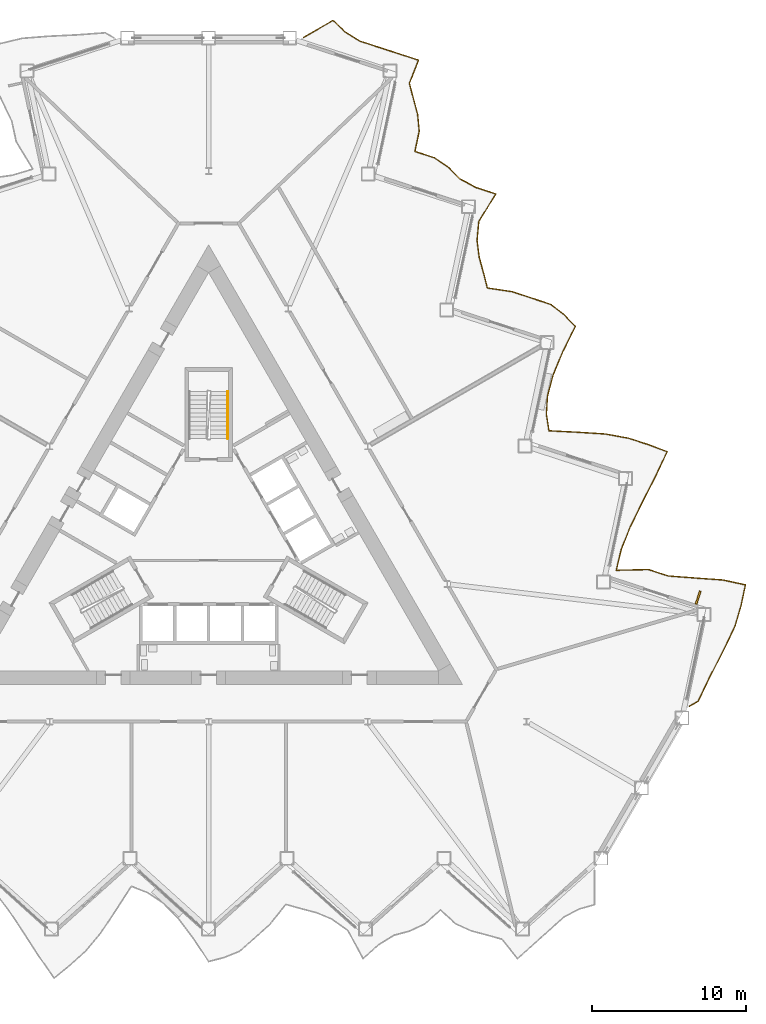
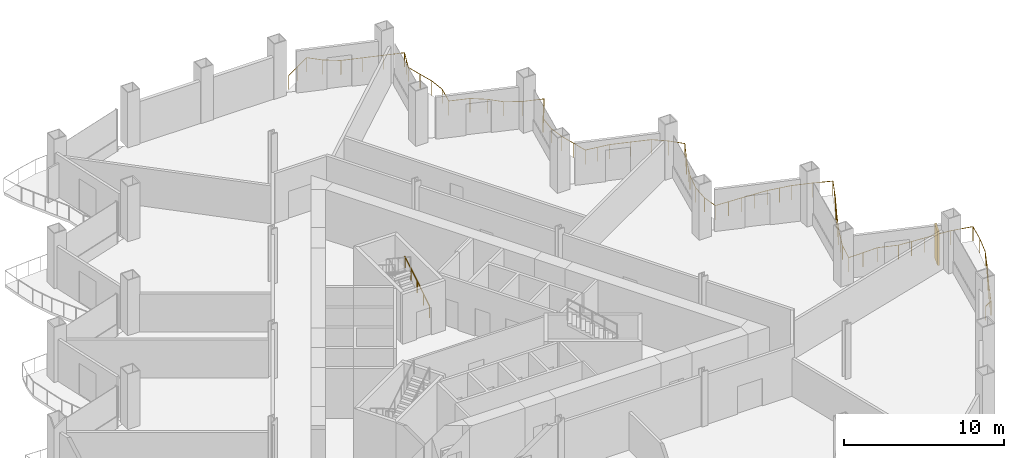
# One storey, part 19 of 21: 2 railings, 1 shading device.
"""IFC4 building model written with IfcOpenShell, lengths in metres."""

from ifc_helpers import new_model, si_unit, direction, frame, origin, origin_2d, place, context, subcontext, project, spatial, rectangle, circle, extrude, material, layer, layer_set, type_object, element, save


model = new_model("IFC4")

# Units and contexts
model_context = context("Model", 3, precision=1e-05, world=origin(), true_north=direction((0.0, 1.0)))
body_context = subcontext(model_context, "Body", "Model", "MODEL_VIEW")
ifc_project = project(units=[si_unit("LENGTHUNIT", "METRE"), si_unit("AREAUNIT", "SQUARE_METRE"), si_unit("VOLUMEUNIT", "CUBIC_METRE"), si_unit("PLANEANGLEUNIT", "RADIAN"), si_unit("MASSUNIT", "GRAM", prefix="KILO")], contexts=[model_context])

# Site, building, storey
site_placement = place(None, origin())
site = spatial("IfcSite", under=ifc_project, at=site_placement, CompositionType="ELEMENT")
building_placement = place(site_placement, origin())
building = spatial("IfcBuilding", under=site, at=building_placement, Name="Cormorant Prow Tower", CompositionType="ELEMENT")
storey_placement = place(building_placement, frame((0.0, 0.0, 112.199951171875)))
storey = spatial("IfcBuildingStorey", under=building, at=storey_placement, Name="L23", CompositionType="ELEMENT", Elevation=112.199951171875)

# Railings
ifc_material_1 = material(Name="Aluminium 6063-T6", Category="aluminium")
railing_type_1 = type_object("IfcRailingType", Name="Balcony guard 1100", PredefinedType="GUARDRAIL", material=ifc_material_1)
railing_1_placement = place(storey_placement, frame((31.255859375, -10.926025390625, 0.0)))
element("IfcRailing", 1, at=railing_1_placement, inside=storey, type_object=railing_type_1, Name="Balcony guard ENE", PredefinedType="GUARDRAIL", context=body_context, shape_type="SweptSolid", body=[
    extrude(circle(Radius=0.02392578125, at=origin_2d()), frame((0.0, 0.0, 1.076171875), z_axis=(0.866038622153, 0.499977104415, 0.0), x_axis=(-0.499977104415, 0.866038622153, 0.0)), (0.0, 0.0, 1.0), 0.63623046875),
    extrude(circle(Radius=0.02392578125, at=origin_2d()), frame((0.551025390625, 0.318115234375, 1.076171875), z_axis=(0.43395568951, 0.90093421488, 0.0), x_axis=(-0.90093421488, 0.43395568951, 0.0)), (0.0, 0.0, 1.0), 1.78173828125),
    extrude(circle(Radius=0.02392578125, at=origin_2d()), frame((1.32421875, 1.92333984375, 1.076171875), z_axis=(0.457404553014, 0.889258722129, 0.0), x_axis=(-0.889258722129, 0.457404553014, 0.0)), (0.0, 0.0, 1.0), 1.853759765625),
    extrude(circle(Radius=0.02392578125, at=origin_2d()), frame((2.172119140625, 3.57177734375, 1.076171875), z_axis=(0.431975796772, 0.90188519835, 0.0), x_axis=(-0.90188519835, 0.431975796772, 0.0)), (0.0, 0.0, 1.0), 1.7763671875),
    extrude(circle(Radius=0.02392578125, at=origin_2d()), frame((2.939453125, 5.173828125, 1.076171875), z_axis=(0.281611693619, 0.95952845399, 0.0), x_axis=(-0.95952845399, 0.281611693619, 0.0)), (0.0, 0.0, 1.0), 1.453857421875),
    extrude(circle(Radius=0.02392578125, at=origin_2d()), frame((3.348876953125, 6.56884765625, 1.076171875), z_axis=(0.207886861883, 0.978152877957, 0.0), x_axis=(-0.978152877957, 0.207886861883, 0.0)), (0.0, 0.0, 1.0), 1.3505859375),
    extrude(circle(Radius=0.02392578125, at=origin_2d()), frame((3.629638671875, 7.889892578125, 1.076171875), z_axis=(-0.977372167064, 0.211526941659, 0.0), x_axis=(-0.211526941659, -0.977372167064, 0.0)), (0.0, 0.0, 1.0), 1.493408203125),
    extrude(circle(Radius=0.02392578125, at=origin_2d()), frame((2.169921875, 8.205810546875, 1.076171875), z_axis=(-0.997497959501, 0.070695267101, 0.0), x_axis=(-0.070695267101, -0.997497959501, 0.0)), (0.0, 0.0, 1.0), 1.792236328125),
    extrude(circle(Radius=0.02392578125, at=origin_2d()), frame((0.382080078125, 8.33251953125, 1.076171875), z_axis=(-0.997149728918, 0.075448115409, 0.0), x_axis=(-0.075448115409, -0.997149728918, 0.0)), (0.0, 0.0, 1.0), 1.77978515625),
    extrude(circle(Radius=0.02392578125, at=origin_2d()), frame((-1.392578125, 8.466796875, 1.076171875), z_axis=(-0.951024769283, 0.309114684561, 0.0), x_axis=(-0.309114684561, -0.951024769283, 0.0)), (0.0, 0.0, 1.0), 1.3505859375),
    extrude(circle(Radius=0.02392578125, at=origin_2d()), frame((-2.677001953125, 8.88427734375, 1.076171875), z_axis=(-0.999758175255, -0.021990702814, 0.0), x_axis=(0.021990702814, -0.999758175255, 0.0)), (0.0, 0.0, 1.0), 2.087158203125),
    extrude(circle(Radius=0.02392578125, at=origin_2d()), frame((-4.763671875, 8.83837890625, 1.076171875), z_axis=(0.232169895877, 0.972675248708, 0.0), x_axis=(-0.972675248708, 0.232169895877, 0.0)), (0.0, 0.0, 1.0), 1.3818359375),
    extrude(circle(Radius=0.02392578125, at=origin_2d()), frame((-4.44287109375, 10.182373046875, 1.076171875), z_axis=(0.371001399751, 0.928632306881, 0.0), x_axis=(-0.928632306881, 0.371001399751, 0.0)), (0.0, 0.0, 1.0), 1.6220703125),
    extrude(circle(Radius=0.02392578125, at=origin_2d()), frame((-3.841064453125, 11.688720703125, 1.076171875), z_axis=(0.440752592338, 0.897628627188, 0.0), x_axis=(-0.897628627188, 0.440752592338, 0.0)), (0.0, 0.0, 1.0), 1.802001953125),
    extrude(circle(Radius=0.02392578125, at=origin_2d()), frame((-3.046875, 13.30615234375, 1.076171875), z_axis=(0.456734184833, 0.889603217398, 0.0), x_axis=(-0.889603217398, 0.456734184833, 0.0)), (0.0, 0.0, 1.0), 1.8515625),
    extrude(circle(Radius=0.02392578125, at=origin_2d()), frame((-2.201171875, 14.953369140625, 1.076171875), z_axis=(0.423709079237, 0.905798330851, 0.0), x_axis=(-0.905798330851, 0.423709079237, 0.0)), (0.0, 0.0, 1.0), 1.752197265625),
    extrude(circle(Radius=0.02392578125, at=origin_2d()), frame((-1.458740234375, 16.54052734375, 1.076171875), z_axis=(-0.935577093691, 0.353122502485, 0.0), x_axis=(-0.353122502485, -0.935577093691, 0.0)), (0.0, 0.0, 1.0), 1.297607421875),
    extrude(circle(Radius=0.02392578125, at=origin_2d()), frame((-2.6728515625, 16.998779296875, 1.076171875), z_axis=(-0.951077899841, 0.308951174839, 0.0), x_axis=(-0.308951174839, -0.951077899841, 0.0)), (0.0, 0.0, 1.0), 1.3505859375),
    extrude(circle(Radius=0.02392578125, at=origin_2d()), frame((-3.957275390625, 17.416015625, 1.076171875), z_axis=(-0.983862355577, 0.178926983092, 0.0), x_axis=(-0.178926983092, -0.983862355577, 0.0)), (0.0, 0.0, 1.0), 1.551513671875),
    extrude(circle(Radius=0.02392578125, at=origin_2d()), frame((-5.483642578125, 17.693603515625, 1.076171875), z_axis=(-0.997964521348, 0.063771577762, 0.0), x_axis=(-0.063771577762, -0.997964521348, 0.0)), (0.0, 0.0, 1.0), 1.810791015625),
    extrude(circle(Radius=0.02392578125, at=origin_2d()), frame((-7.290771484375, 17.80908203125, 1.076171875), z_axis=(-0.99874739551, 0.050036386371, 0.0), x_axis=(-0.050036386371, -0.99874739551, 0.0)), (0.0, 0.0, 1.0), 1.84912109375),
    extrude(circle(Radius=0.02392578125, at=origin_2d()), frame((-9.1376953125, 17.901611328125, 1.076171875), z_axis=(-0.155041618238, 0.987907939342, 0.0), x_axis=(-0.987907939342, -0.155041618238, 0.0)), (0.0, 0.0, 1.0), 1.075439453125),
    extrude(circle(Radius=0.02392578125, at=origin_2d()), frame((-9.304443359375, 18.964111328125, 1.076171875), z_axis=(0.058900613836, 0.998263851739, 0.0), x_axis=(-0.998263851739, 0.058900613836, 0.0)), (0.0, 0.0, 1.0), 1.2021484375),
    extrude(circle(Radius=0.02392578125, at=origin_2d()), frame((-9.233642578125, 20.1640625, 1.076171875), z_axis=(0.258337459787, 0.96605473803, 0.0), x_axis=(-0.96605473803, 0.258337459787, 0.0)), (0.0, 0.0, 1.0), 1.41845703125),
    extrude(circle(Radius=0.02392578125, at=origin_2d()), frame((-8.8671875, 21.534423828125, 1.076171875), z_axis=(0.385662338184, 0.922639995289, 0.0), x_axis=(-0.922639995289, 0.385662338184, 0.0)), (0.0, 0.0, 1.0), 1.655517578125),
    extrude(circle(Radius=0.02392578125, at=origin_2d()), frame((-8.228759765625, 23.061767578125, 1.076171875), z_axis=(0.446354499112, 0.894856223716, 0.0), x_axis=(-0.894856223716, 0.446354499112, 0.0)), (0.0, 0.0, 1.0), 1.819091796875),
    extrude(circle(Radius=0.02392578125, at=origin_2d()), frame((-7.416748046875, 24.689697265625, 1.076171875), z_axis=(-0.700003093653, 0.714139810455, 0.0), x_axis=(-0.714139810455, -0.700003093653, 0.0)), (0.0, 0.0, 1.0), 1.0361328125),
    extrude(circle(Radius=0.02392578125, at=origin_2d()), frame((-8.14208984375, 25.4296875, 1.076171875), z_axis=(-0.786866312504, 0.617123493513, 0.0), x_axis=(-0.617123493513, -0.786866312504, 0.0)), (0.0, 0.0, 1.0), 1.08154296875),
    extrude(circle(Radius=0.02392578125, at=origin_2d()), frame((-8.9931640625, 26.09716796875, 1.076171875), z_axis=(-0.947415465618, 0.320006149173, 0.0), x_axis=(-0.320006149173, -0.947415465618, 0.0)), (0.0, 0.0, 1.0), 1.336669921875),
    extrude(circle(Radius=0.02392578125, at=origin_2d()), frame((-10.259521484375, 26.52490234375, 1.076171875), z_axis=(-0.951077899841, 0.308951174839, 0.0), x_axis=(-0.308951174839, -0.951077899841, 0.0)), (0.0, 0.0, 1.0), 1.3505859375),
    extrude(circle(Radius=0.02392578125, at=origin_2d()), frame((-11.5439453125, 26.942138671875, 1.076171875), z_axis=(-0.989210766763, 0.146499347852, 0.0), x_axis=(-0.146499347852, -0.989210766763, 0.0)), (0.0, 0.0, 1.0), 1.61474609375),
    extrude(circle(Radius=0.02392578125, at=origin_2d()), frame((-13.141357421875, 27.1787109375, 1.076171875), z_axis=(-0.247823024383, 0.968805320271, 0.0), x_axis=(-0.968805320271, -0.247823024383, 0.0)), (0.0, 0.0, 1.0), 1.042236328125),
    extrude(circle(Radius=0.02392578125, at=origin_2d()), frame((-13.399658203125, 28.1884765625, 1.076171875), z_axis=(-0.26379434014, 0.964578947578, 0.0), x_axis=(-0.964578947578, -0.26379434014, 0.0)), (0.0, 0.0, 1.0), 1.03759765625),
    extrude(circle(Radius=0.02392578125, at=origin_2d()), frame((-13.67333984375, 29.189208984375, 1.076171875), z_axis=(-0.1260496164, 0.992023938323, 0.0), x_axis=(-0.992023938323, -0.1260496164, 0.0)), (0.0, 0.0, 1.0), 1.088623046875),
    extrude(circle(Radius=0.02392578125, at=origin_2d()), frame((-13.810546875, 30.26904296875, 1.076171875), z_axis=(0.092701173537, 0.995693975288, 0.0), x_axis=(-0.995693975288, 0.092701173537, 0.0)), (0.0, 0.0, 1.0), 1.22998046875),
    extrude(circle(Radius=0.02392578125, at=origin_2d()), frame((-13.696533203125, 31.49365234375, 1.076171875), z_axis=(0.523412097914, 0.852079676883, 0.0), x_axis=(-0.852079676883, 0.523412097914, 0.0)), (0.0, 0.0, 1.0), 2.107421875),
    extrude(circle(Radius=0.02392578125, at=origin_2d()), frame((-12.593505859375, 33.289306640625, 1.076171875), z_axis=(-0.951024769283, 0.309114684561, 0.0), x_axis=(-0.309114684561, -0.951024769283, 0.0)), (0.0, 0.0, 1.0), 1.3505859375),
    extrude(circle(Radius=0.02392578125, at=origin_2d()), frame((-13.8779296875, 33.706787109375, 1.076171875), z_axis=(-0.880391324152, 0.474247948185, 0.0), x_axis=(-0.474247948185, -0.880391324152, 0.0)), (0.0, 0.0, 1.0), 1.179443359375),
    extrude(circle(Radius=0.02392578125, at=origin_2d()), frame((-14.916259765625, 34.26611328125, 1.076171875), z_axis=(-0.707224250539, 0.706989292316, 0.0), x_axis=(-0.706989292316, -0.707224250539, 0.0)), (0.0, 0.0, 1.0), 1.0390625),
    extrude(circle(Radius=0.02392578125, at=origin_2d()), frame((-15.651123046875, 35.000732421875, 1.076171875), z_axis=(-0.821263959786, 0.570548427705, 0.0), x_axis=(-0.570548427705, -0.821263959786, 0.0)), (0.0, 0.0, 1.0), 1.109130859375),
    extrude(circle(Radius=0.02392578125, at=origin_2d()), frame((-16.56201171875, 35.633544921875, 1.076171875), z_axis=(-0.951024769283, 0.309114684561, 0.0), x_axis=(-0.309114684561, -0.951024769283, 0.0)), (0.0, 0.0, 1.0), 1.3505859375),
    extrude(circle(Radius=0.02392578125, at=origin_2d()), frame((-17.846435546875, 36.051025390625, 1.076171875), z_axis=(0.207923627178, 0.978145063506, 0.0), x_axis=(-0.978145063506, 0.207923627178, 0.0)), (0.0, 0.0, 1.0), 1.350341796875),
    extrude(circle(Radius=0.02392578125, at=origin_2d()), frame((-17.565673828125, 37.371826171875, 1.076171875), z_axis=(-0.09722302852, 0.995262619978, 0.0), x_axis=(-0.995262619978, -0.09722302852, 0.0)), (0.0, 0.0, 1.0), 1.102294921875),
    extrude(circle(Radius=0.02392578125, at=origin_2d()), frame((-17.6728515625, 38.468994140625, 1.076171875), z_axis=(-0.260529971324, 0.96546576016, 0.0), x_axis=(-0.96546576016, -0.260529971324, 0.0)), (0.0, 0.0, 1.0), 1.038330078125),
    extrude(circle(Radius=0.02392578125, at=origin_2d()), frame((-17.943359375, 39.471435546875, 1.076171875), z_axis=(-0.2523455211, 0.967637193364, 0.0), x_axis=(-0.967637193364, -0.2523455211, 0.0)), (0.0, 0.0, 1.0), 1.041015625),
    extrude(circle(Radius=0.02392578125, at=origin_2d()), frame((-18.2060546875, 40.478759765625, 1.076171875), z_axis=(0.36802667309, 0.929815233202, 0.0), x_axis=(-0.929815233202, 0.36802667309, 0.0)), (0.0, 0.0, 1.0), 1.615234375),
    extrude(circle(Radius=0.02392578125, at=origin_2d()), frame((-17.611572265625, 41.980712890625, 1.076171875), z_axis=(-0.951024769283, 0.309114684561, 0.0), x_axis=(-0.309114684561, -0.951024769283, 0.0)), (0.0, 0.0, 1.0), 1.3505859375),
    extrude(circle(Radius=0.02392578125, at=origin_2d()), frame((-18.89599609375, 42.398193359375, 1.076171875), z_axis=(-0.951077899841, 0.308951174839, 0.0), x_axis=(-0.308951174839, -0.951077899841, 0.0)), (0.0, 0.0, 1.0), 1.3505859375),
    extrude(circle(Radius=0.02392578125, at=origin_2d()), frame((-20.180419921875, 42.8154296875, 1.076171875), z_axis=(-0.951024769283, 0.309114684561, 0.0), x_axis=(-0.309114684561, -0.951024769283, 0.0)), (0.0, 0.0, 1.0), 1.3505859375),
    extrude(circle(Radius=0.02392578125, at=origin_2d()), frame((-21.46484375, 43.23291015625, 1.076171875), z_axis=(-0.841697789275, 0.539948915667, 0.0), x_axis=(-0.539948915667, -0.841697789275, 0.0)), (0.0, 0.0, 1.0), 1.12939453125),
    extrude(circle(Radius=0.02392578125, at=origin_2d()), frame((-22.41552734375, 43.8427734375, 1.076171875), z_axis=(-0.717329509152, 0.696734077894, 0.0), x_axis=(-0.696734077894, -0.717329509152, 0.0)), (0.0, 0.0, 1.0), 1.043212890625),
    extrude(circle(Radius=0.02392578125, at=origin_2d()), frame((-23.163818359375, 44.569580078125, 1.076171875), z_axis=(-0.866039359181, -0.499975827765, 0.0), x_axis=(0.499975827765, -0.866039359181, 0.0)), (0.0, 0.0, 1.0), 2.22412109375),
    extrude(circle(Radius=0.02099609375, at=origin_2d()), origin(), (0.0, 0.0, 1.0), 1.052001953125),
    extrude(circle(Radius=0.02099609375, at=origin_2d()), frame((0.551025390625, 0.318115234375, 0.0)), (0.0, 0.0, 1.0), 1.052001953125),
    extrude(circle(Radius=0.02099609375, at=origin_2d()), frame((0.9375, 1.12060546875, 0.0)), (0.0, 0.0, 1.0), 1.052001953125),
    extrude(circle(Radius=0.02099609375, at=origin_2d()), frame((1.32421875, 1.92333984375, 0.0)), (0.0, 0.0, 1.0), 1.052001953125),
    extrude(circle(Radius=0.02099609375, at=origin_2d()), frame((1.748046875, 2.74755859375, 0.0)), (0.0, 0.0, 1.0), 1.052001953125),
    extrude(circle(Radius=0.02099609375, at=origin_2d()), frame((2.172119140625, 3.57177734375, 0.0)), (0.0, 0.0, 1.0), 1.052001953125),
    extrude(circle(Radius=0.02099609375, at=origin_2d()), frame((2.5556640625, 4.372802734375, 0.0)), (0.0, 0.0, 1.0), 1.052001953125),
    extrude(circle(Radius=0.02099609375, at=origin_2d()), frame((2.939453125, 5.173828125, 0.0)), (0.0, 0.0, 1.0), 1.052001953125),
    extrude(circle(Radius=0.02099609375, at=origin_2d()), frame((3.348876953125, 6.56884765625, 0.0)), (0.0, 0.0, 1.0), 1.052001953125),
    extrude(circle(Radius=0.02099609375, at=origin_2d()), frame((3.629638671875, 7.889892578125, 0.0)), (0.0, 0.0, 1.0), 1.052001953125),
    extrude(circle(Radius=0.02099609375, at=origin_2d()), frame((2.169921875, 8.205810546875, 0.0)), (0.0, 0.0, 1.0), 1.052001953125),
    extrude(circle(Radius=0.02099609375, at=origin_2d()), frame((1.27587890625, 8.26904296875, 0.0)), (0.0, 0.0, 1.0), 1.052001953125),
    extrude(circle(Radius=0.02099609375, at=origin_2d()), frame((0.382080078125, 8.33251953125, 0.0)), (0.0, 0.0, 1.0), 1.052001953125),
    extrude(circle(Radius=0.02099609375, at=origin_2d()), frame((-0.50537109375, 8.399658203125, 0.0)), (0.0, 0.0, 1.0), 1.052001953125),
    extrude(circle(Radius=0.02099609375, at=origin_2d()), frame((-1.392578125, 8.466796875, 0.0)), (0.0, 0.0, 1.0), 1.052001953125),
    extrude(circle(Radius=0.02099609375, at=origin_2d()), frame((-2.677001953125, 8.88427734375, 0.0)), (0.0, 0.0, 1.0), 1.052001953125),
    extrude(circle(Radius=0.02099609375, at=origin_2d()), frame((-3.72021484375, 8.861328125, 0.0)), (0.0, 0.0, 1.0), 1.052001953125),
    extrude(circle(Radius=0.02099609375, at=origin_2d()), frame((-4.763671875, 8.83837890625, 0.0)), (0.0, 0.0, 1.0), 1.052001953125),
    extrude(circle(Radius=0.02099609375, at=origin_2d()), frame((-4.44287109375, 10.182373046875, 0.0)), (0.0, 0.0, 1.0), 1.052001953125),
    extrude(circle(Radius=0.02099609375, at=origin_2d()), frame((-4.14208984375, 10.935546875, 0.0)), (0.0, 0.0, 1.0), 1.052001953125),
    extrude(circle(Radius=0.02099609375, at=origin_2d()), frame((-3.841064453125, 11.688720703125, 0.0)), (0.0, 0.0, 1.0), 1.052001953125),
    extrude(circle(Radius=0.02099609375, at=origin_2d()), frame((-3.44384765625, 12.49755859375, 0.0)), (0.0, 0.0, 1.0), 1.052001953125),
    extrude(circle(Radius=0.02099609375, at=origin_2d()), frame((-3.046875, 13.30615234375, 0.0)), (0.0, 0.0, 1.0), 1.052001953125),
    extrude(circle(Radius=0.02099609375, at=origin_2d()), frame((-2.6240234375, 14.1298828125, 0.0)), (0.0, 0.0, 1.0), 1.052001953125),
    extrude(circle(Radius=0.02099609375, at=origin_2d()), frame((-2.201171875, 14.953369140625, 0.0)), (0.0, 0.0, 1.0), 1.052001953125),
    extrude(circle(Radius=0.02099609375, at=origin_2d()), frame((-1.830078125, 15.7470703125, 0.0)), (0.0, 0.0, 1.0), 1.052001953125),
    extrude(circle(Radius=0.02099609375, at=origin_2d()), frame((-1.458740234375, 16.54052734375, 0.0)), (0.0, 0.0, 1.0), 1.052001953125),
    extrude(circle(Radius=0.02099609375, at=origin_2d()), frame((-2.6728515625, 16.998779296875, 0.0)), (0.0, 0.0, 1.0), 1.052001953125),
    extrude(circle(Radius=0.02099609375, at=origin_2d()), frame((-3.957275390625, 17.416015625, 0.0)), (0.0, 0.0, 1.0), 1.052001953125),
    extrude(circle(Radius=0.02099609375, at=origin_2d()), frame((-4.720458984375, 17.5546875, 0.0)), (0.0, 0.0, 1.0), 1.052001953125),
    extrude(circle(Radius=0.02099609375, at=origin_2d()), frame((-5.483642578125, 17.693603515625, 0.0)), (0.0, 0.0, 1.0), 1.052001953125),
    extrude(circle(Radius=0.02099609375, at=origin_2d()), frame((-6.38720703125, 17.75146484375, 0.0)), (0.0, 0.0, 1.0), 1.052001953125),
    extrude(circle(Radius=0.02099609375, at=origin_2d()), frame((-7.290771484375, 17.80908203125, 0.0)), (0.0, 0.0, 1.0), 1.052001953125),
    extrude(circle(Radius=0.02099609375, at=origin_2d()), frame((-8.21435546875, 17.85546875, 0.0)), (0.0, 0.0, 1.0), 1.052001953125),
    extrude(circle(Radius=0.02099609375, at=origin_2d()), frame((-9.1376953125, 17.901611328125, 0.0)), (0.0, 0.0, 1.0), 1.052001953125),
    extrude(circle(Radius=0.02099609375, at=origin_2d()), frame((-9.304443359375, 18.964111328125, 0.0)), (0.0, 0.0, 1.0), 1.052001953125),
    extrude(circle(Radius=0.02099609375, at=origin_2d()), frame((-9.233642578125, 20.1640625, 0.0)), (0.0, 0.0, 1.0), 1.052001953125),
    extrude(circle(Radius=0.02099609375, at=origin_2d()), frame((-8.8671875, 21.534423828125, 0.0)), (0.0, 0.0, 1.0), 1.052001953125),
    extrude(circle(Radius=0.02099609375, at=origin_2d()), frame((-8.5478515625, 22.298095703125, 0.0)), (0.0, 0.0, 1.0), 1.052001953125),
    extrude(circle(Radius=0.02099609375, at=origin_2d()), frame((-8.228759765625, 23.061767578125, 0.0)), (0.0, 0.0, 1.0), 1.052001953125),
    extrude(circle(Radius=0.02099609375, at=origin_2d()), frame((-7.82275390625, 23.875732421875, 0.0)), (0.0, 0.0, 1.0), 1.052001953125),
    extrude(circle(Radius=0.02099609375, at=origin_2d()), frame((-7.416748046875, 24.689697265625, 0.0)), (0.0, 0.0, 1.0), 1.052001953125),
    extrude(circle(Radius=0.02099609375, at=origin_2d()), frame((-8.14208984375, 25.4296875, 0.0)), (0.0, 0.0, 1.0), 1.052001953125),
    extrude(circle(Radius=0.02099609375, at=origin_2d()), frame((-8.9931640625, 26.09716796875, 0.0)), (0.0, 0.0, 1.0), 1.052001953125),
    extrude(circle(Radius=0.02099609375, at=origin_2d()), frame((-10.259521484375, 26.52490234375, 0.0)), (0.0, 0.0, 1.0), 1.052001953125),
    extrude(circle(Radius=0.02099609375, at=origin_2d()), frame((-11.5439453125, 26.942138671875, 0.0)), (0.0, 0.0, 1.0), 1.052001953125),
    extrude(circle(Radius=0.02099609375, at=origin_2d()), frame((-12.3427734375, 27.060546875, 0.0)), (0.0, 0.0, 1.0), 1.052001953125),
    extrude(circle(Radius=0.02099609375, at=origin_2d()), frame((-13.141357421875, 27.1787109375, 0.0)), (0.0, 0.0, 1.0), 1.052001953125),
    extrude(circle(Radius=0.02099609375, at=origin_2d()), frame((-13.399658203125, 28.1884765625, 0.0)), (0.0, 0.0, 1.0), 1.052001953125),
    extrude(circle(Radius=0.02099609375, at=origin_2d()), frame((-13.67333984375, 29.189208984375, 0.0)), (0.0, 0.0, 1.0), 1.052001953125),
    extrude(circle(Radius=0.02099609375, at=origin_2d()), frame((-13.810546875, 30.26904296875, 0.0)), (0.0, 0.0, 1.0), 1.052001953125),
    extrude(circle(Radius=0.02099609375, at=origin_2d()), frame((-13.696533203125, 31.49365234375, 0.0)), (0.0, 0.0, 1.0), 1.052001953125),
    extrude(circle(Radius=0.02099609375, at=origin_2d()), frame((-13.14501953125, 32.3916015625, 0.0)), (0.0, 0.0, 1.0), 1.052001953125),
    extrude(circle(Radius=0.02099609375, at=origin_2d()), frame((-12.593505859375, 33.289306640625, 0.0)), (0.0, 0.0, 1.0), 1.052001953125),
    extrude(circle(Radius=0.02099609375, at=origin_2d()), frame((-13.8779296875, 33.706787109375, 0.0)), (0.0, 0.0, 1.0), 1.052001953125),
    extrude(circle(Radius=0.02099609375, at=origin_2d()), frame((-14.916259765625, 34.26611328125, 0.0)), (0.0, 0.0, 1.0), 1.052001953125),
    extrude(circle(Radius=0.02099609375, at=origin_2d()), frame((-15.651123046875, 35.000732421875, 0.0)), (0.0, 0.0, 1.0), 1.052001953125),
    extrude(circle(Radius=0.02099609375, at=origin_2d()), frame((-16.56201171875, 35.633544921875, 0.0)), (0.0, 0.0, 1.0), 1.052001953125),
    extrude(circle(Radius=0.02099609375, at=origin_2d()), frame((-17.846435546875, 36.051025390625, 0.0)), (0.0, 0.0, 1.0), 1.052001953125),
    extrude(circle(Radius=0.02099609375, at=origin_2d()), frame((-17.565673828125, 37.371826171875, 0.0)), (0.0, 0.0, 1.0), 1.052001953125),
    extrude(circle(Radius=0.02099609375, at=origin_2d()), frame((-17.6728515625, 38.468994140625, 0.0)), (0.0, 0.0, 1.0), 1.052001953125),
    extrude(circle(Radius=0.02099609375, at=origin_2d()), frame((-17.943359375, 39.471435546875, 0.0)), (0.0, 0.0, 1.0), 1.052001953125),
    extrude(circle(Radius=0.02099609375, at=origin_2d()), frame((-18.2060546875, 40.478759765625, 0.0)), (0.0, 0.0, 1.0), 1.052001953125),
    extrude(circle(Radius=0.02099609375, at=origin_2d()), frame((-17.90869140625, 41.229736328125, 0.0)), (0.0, 0.0, 1.0), 1.052001953125),
    extrude(circle(Radius=0.02099609375, at=origin_2d()), frame((-17.611572265625, 41.980712890625, 0.0)), (0.0, 0.0, 1.0), 1.052001953125),
    extrude(circle(Radius=0.02099609375, at=origin_2d()), frame((-18.89599609375, 42.398193359375, 0.0)), (0.0, 0.0, 1.0), 1.052001953125),
    extrude(circle(Radius=0.02099609375, at=origin_2d()), frame((-20.180419921875, 42.8154296875, 0.0)), (0.0, 0.0, 1.0), 1.052001953125),
    extrude(circle(Radius=0.02099609375, at=origin_2d()), frame((-21.46484375, 43.23291015625, 0.0)), (0.0, 0.0, 1.0), 1.052001953125),
    extrude(circle(Radius=0.02099609375, at=origin_2d()), frame((-22.41552734375, 43.8427734375, 0.0)), (0.0, 0.0, 1.0), 1.052001953125),
    extrude(circle(Radius=0.02099609375, at=origin_2d()), frame((-23.163818359375, 44.569580078125, 0.0)), (0.0, 0.0, 1.0), 1.052001953125),
    extrude(circle(Radius=0.02099609375, at=origin_2d()), frame((-24.126953125, 44.013671875, 0.0)), (0.0, 0.0, 1.0), 1.052001953125),
    extrude(circle(Radius=0.02099609375, at=origin_2d()), frame((-25.090087890625, 43.45751953125, 0.0)), (0.0, 0.0, 1.0), 1.052001953125),
])
ifc_material_2 = material(Name="Stainless steel", Category="steel")
railing_type_2 = type_object("IfcRailingType", Name="Stair handrail 900", PredefinedType="HANDRAIL", material=ifc_material_2)
railing_2_placement = place(storey_placement, frame((1.243896484375, 6.455810546875, 0.175048828125)))
element("IfcRailing", 2, at=railing_2_placement, inside=storey, type_object=railing_type_2, Name="L23 ST3 stair handrail 1", PredefinedType="HANDRAIL", context=body_context, shape_type="SweptSolid", body=[
    extrude(circle(Radius=0.02392578125, at=origin_2d()), frame((0.0, 0.0, 0.8759765625), z_axis=(0.0, 0.847998304005, 0.529998940003), x_axis=(-1.0, 0.0, 0.0)), (0.0, 0.0, 1.0), 3.632080078125),
    extrude(circle(Radius=0.02099609375, at=origin_2d()), origin(), (0.0, 0.0, 1.0), 0.851806640625),
    extrude(circle(Radius=0.02099609375, at=origin_2d()), frame((0.0, 0.77001953125, 0.481201171875)), (0.0, 0.0, 1.0), 0.851806640625),
    extrude(circle(Radius=0.02099609375, at=origin_2d()), frame((0.0, 1.5400390625, 0.96240234375)), (0.0, 0.0, 1.0), 0.851806640625),
    extrude(circle(Radius=0.02099609375, at=origin_2d()), frame((0.0, 2.31005859375, 1.44384765625)), (0.0, 0.0, 1.0), 0.851806640625),
    extrude(circle(Radius=0.02099609375, at=origin_2d()), frame((0.0, 3.080078125, 1.925048828125)), (0.0, 0.0, 1.0), 0.851806640625),
])

# Shading device
ifc_material_3 = material(Name="Terracotta", Category="masonry")
ifc_layer = layer(ifc_material_3, 0.1201171875)
ifc_layer_set = layer_set([ifc_layer], Name="Terracotta")
shading_device_type = type_object("IfcShadingDeviceType", Name="Terracotta baguette fin 120x900x2600", PredefinedType="USERDEFINED", material=ifc_layer_set)
shading_device_placement = place(storey_placement, frame((31.807861328125, -3.8681640625, 0.0), z_axis=(0.0, 0.0, 1.0), x_axis=(-0.951056506231, 0.309017025349, 0.0)))
element("IfcShadingDevice", 3, at=shading_device_placement, inside=storey, type_object=shading_device_type, Name="Baguette fin ENE01", ObjectType="BAGUETTE", PredefinedType="USERDEFINED", context=body_context, shape_type="SweptSolid", body=[
    extrude(rectangle(XDim=0.1201171875, YDim=0.89990234375, at=origin_2d()), origin(), (0.0, 0.0, 1.0), 2.60009765625),
])

save(model, "model.ifc")
